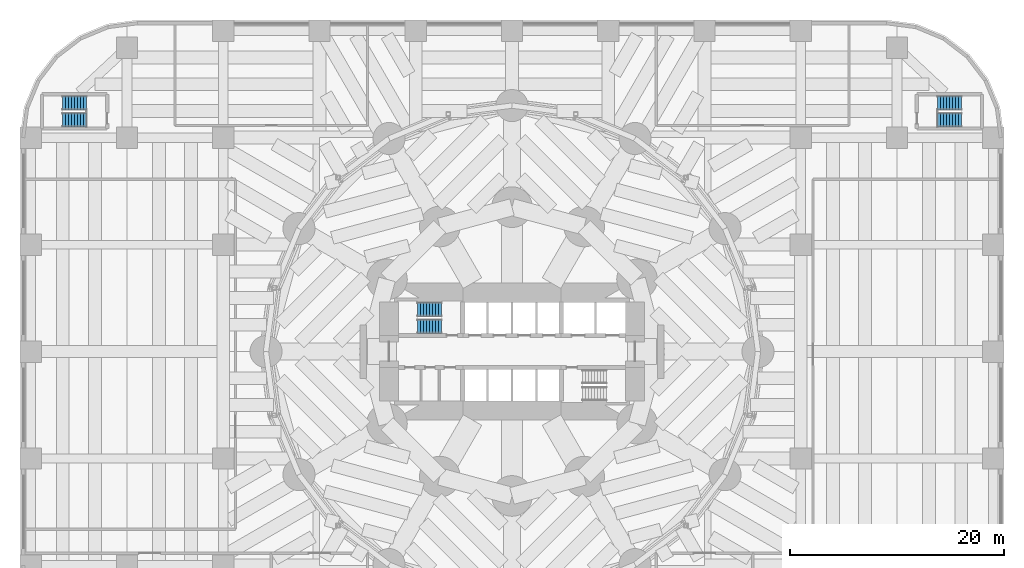
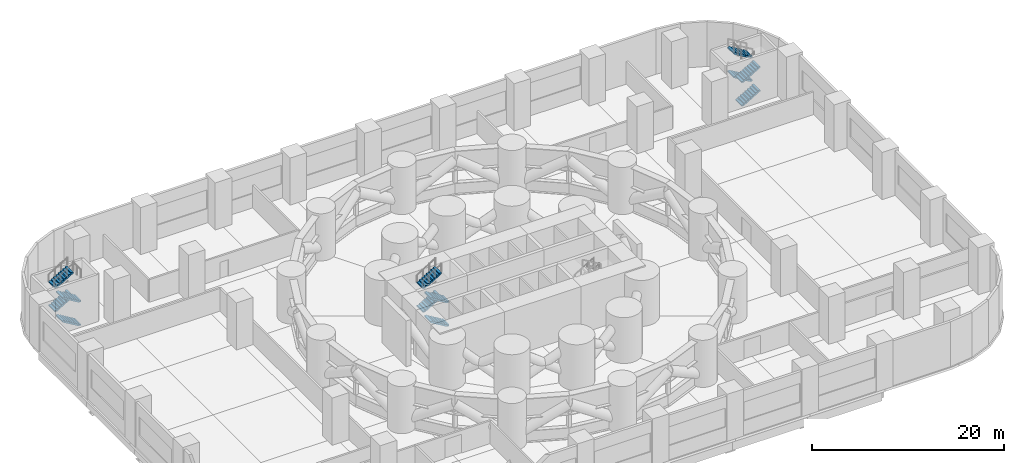
# One storey, part 13 of 14: 12 stair flights, 3 elements without a shape of their own.
"""IFC4 building model written with IfcOpenShell, lengths in metres."""

from ifc_helpers import new_model, si_unit, direction, frame, origin, place, context, subcontext, project, spatial, polyline, outline, extrude, material, type_object, element, aggregate, save


model = new_model("IFC4")

# Units and contexts
model_context = context("Model", 3, precision=1e-05, world=origin(), true_north=direction((0.0, 1.0)))
body_context = subcontext(model_context, "Body", "Model", "MODEL_VIEW")
ifc_project = project(units=[si_unit("LENGTHUNIT", "METRE"), si_unit("AREAUNIT", "SQUARE_METRE"), si_unit("VOLUMEUNIT", "CUBIC_METRE"), si_unit("PLANEANGLEUNIT", "RADIAN"), si_unit("MASSUNIT", "GRAM", prefix="KILO")], contexts=[model_context])

# Site, building, storey
site_placement = place(None, origin())
site = spatial("IfcSite", under=ifc_project, at=site_placement, CompositionType="ELEMENT")
building_placement = place(site_placement, origin())
building = spatial("IfcBuilding", under=site, at=building_placement, Name="Qaws Media Tower", CompositionType="ELEMENT")
storey_placement = place(building_placement, frame((0.0, 0.0, 20.0)))
storey = spatial("IfcBuildingStorey", under=building, at=storey_placement, Name="L03", CompositionType="ELEMENT", Elevation=20.0)

# Stair, stair flights
ifc_material_1 = material(Name="Concrete C40/50", Category="concrete")
stair_type = type_object("IfcStairType", Name="Exit stair", PredefinedType="HALF_TURN_STAIR", material=ifc_material_1)
stair_1_placement = place(storey_placement, origin())
stair_1 = element("IfcStair", 1, at=stair_1_placement, inside=storey, type_object=stair_type, Name="S1 exit stair L03", PredefinedType="HALF_TURN_STAIR")
ifc_material_2 = material(Name="Concrete C40/50", Category="concrete")
stair_flight_type = type_object("IfcStairFlightType", Name="Stair flight 1310", PredefinedType="STRAIGHT", material=ifc_material_2)
stair_flight_1_placement = place(storey_placement, frame((53.419921875, 52.35498046875, 0.0), z_axis=(0.0, 0.0, 1.0), x_axis=(-1.0, 0.0, 0.0)))
stair_flight_1 = element("IfcStairFlight", 2, at=stair_flight_1_placement, type_object=stair_flight_type, Name="S1 flight 1", NumberOfRisers=9, NumberOfTreads=8, PredefinedType="STRAIGHT", RiserHeight=0.166666667, TreadLength=0.28, context=body_context, shape_type="SweptSolid", body=[
    extrude(outline(polyline([(0.0, 0.0), (0.0, 0.166748046875), (0.280029296875, 0.166748046875), (0.280029296875, 0.333251953125), (0.56005859375, 0.333251953125), (0.56005859375, 0.5), (0.840087890625, 0.5), (0.840087890625, 0.666748046875), (1.1201171875, 0.666748046875), (1.1201171875, 0.833251953125), (1.39990234375, 0.833251953125), (1.39990234375, 1.0), (1.679931640625, 1.0), (1.679931640625, 1.166748046875), (1.9599609375, 1.166748046875), (1.9599609375, 1.333251953125), (2.239990234375, 1.333251953125), (2.239990234375, 1.5), (2.239990234375, 1.158935546875), (0.29296875, 0.0), (0.0, 0.0)])), frame((0.0, 0.655029296875, 0.0), z_axis=(0.0, -1.0, 0.0), x_axis=(1.0, 0.0, 0.0)), (0.0, 0.0, 1.0), 1.31005859375),
])
stair_flight_2_placement = place(storey_placement, frame((51.179931640625, 53.945068359375, 1.5), z_axis=(0.0, 0.0, 1.0), x_axis=(1.0, 0.0, 0.0)))
stair_flight_2 = element("IfcStairFlight", 3, at=stair_flight_2_placement, type_object=stair_flight_type, Name="S1 flight 2", NumberOfRisers=9, NumberOfTreads=8, PredefinedType="STRAIGHT", RiserHeight=0.166666667, TreadLength=0.28, context=body_context, shape_type="SweptSolid", body=[
    extrude(outline(polyline([(0.0, 0.0), (0.0, 0.166748046875), (0.280029296875, 0.166748046875), (0.280029296875, 0.333251953125), (0.56005859375, 0.333251953125), (0.56005859375, 0.5), (0.840087890625, 0.5), (0.840087890625, 0.666748046875), (1.1201171875, 0.666748046875), (1.1201171875, 0.833251953125), (1.39990234375, 0.833251953125), (1.39990234375, 1.0), (1.679931640625, 1.0), (1.679931640625, 1.166748046875), (1.9599609375, 1.166748046875), (1.9599609375, 1.333251953125), (2.239990234375, 1.333251953125), (2.239990234375, 1.5), (2.239990234375, 1.158935546875), (0.29296875, 0.0), (0.0, 0.0)])), frame((0.0, 0.655029296875, 0.0), z_axis=(0.0, -1.0, 0.0), x_axis=(1.0, 0.0, 0.0)), (0.0, 0.0, 1.0), 1.31005859375),
])
stair_flight_3_placement = place(storey_placement, frame((53.419921875, 52.35498046875, 3.0), z_axis=(0.0, 0.0, 1.0), x_axis=(-1.0, 0.0, 0.0)))
stair_flight_3 = element("IfcStairFlight", 4, at=stair_flight_3_placement, type_object=stair_flight_type, Name="S1 flight 3", NumberOfRisers=9, NumberOfTreads=8, PredefinedType="STRAIGHT", RiserHeight=0.166666667, TreadLength=0.28, context=body_context, shape_type="SweptSolid", body=[
    extrude(outline(polyline([(0.0, 0.0), (0.0, 0.166748046875), (0.280029296875, 0.166748046875), (0.280029296875, 0.333251953125), (0.56005859375, 0.333251953125), (0.56005859375, 0.5), (0.840087890625, 0.5), (0.840087890625, 0.666748046875), (1.1201171875, 0.666748046875), (1.1201171875, 0.833251953125), (1.39990234375, 0.833251953125), (1.39990234375, 1.0), (1.679931640625, 1.0), (1.679931640625, 1.166748046875), (1.9599609375, 1.166748046875), (1.9599609375, 1.333251953125), (2.239990234375, 1.333251953125), (2.239990234375, 1.5), (2.239990234375, 1.158935546875), (0.29296875, 0.0), (0.0, 0.0)])), frame((0.0, 0.655029296875, 0.0), z_axis=(0.0, -1.0, 0.0), x_axis=(1.0, 0.0, 0.0)), (0.0, 0.0, 1.0), 1.31005859375),
])
stair_flight_4_placement = place(storey_placement, frame((51.179931640625, 53.945068359375, 4.5), z_axis=(0.0, 0.0, 1.0), x_axis=(1.0, 0.0, 0.0)))
stair_flight_4 = element("IfcStairFlight", 5, at=stair_flight_4_placement, type_object=stair_flight_type, Name="S1 flight 4", NumberOfRisers=9, NumberOfTreads=8, PredefinedType="STRAIGHT", RiserHeight=0.166666667, TreadLength=0.28, context=body_context, shape_type="SweptSolid", body=[
    extrude(outline(polyline([(0.0, 0.0), (0.0, 0.166748046875), (0.280029296875, 0.166748046875), (0.280029296875, 0.333251953125), (0.56005859375, 0.333251953125), (0.56005859375, 0.5), (0.840087890625, 0.5), (0.840087890625, 0.666748046875), (1.1201171875, 0.666748046875), (1.1201171875, 0.833251953125), (1.39990234375, 0.833251953125), (1.39990234375, 1.0), (1.679931640625, 1.0), (1.679931640625, 1.166748046875), (1.9599609375, 1.166748046875), (1.9599609375, 1.333251953125), (2.239990234375, 1.333251953125), (2.239990234375, 1.5), (2.239990234375, 1.158935546875), (0.29296875, 0.0), (0.0, 0.0)])), frame((0.0, 0.655029296875, 0.0), z_axis=(0.0, -1.0, 0.0), x_axis=(1.0, 0.0, 0.0)), (0.0, 0.0, 1.0), 1.31005859375),
])
aggregate(stair_1, [stair_flight_1, stair_flight_2, stair_flight_3, stair_flight_4])

stair_2_placement = place(storey_placement, origin())
stair_2 = element("IfcStair", 6, at=stair_2_placement, inside=storey, type_object=stair_type, Name="S3 exit stair L03", PredefinedType="HALF_TURN_STAIR")
stair_flight_5_placement = place(storey_placement, frame((20.219970703125, 71.655029296875, 0.0), z_axis=(0.0, 0.0, 1.0), x_axis=(-1.0, 0.0, 0.0)))
stair_flight_5 = element("IfcStairFlight", 7, at=stair_flight_5_placement, type_object=stair_flight_type, Name="S3 flight 1", NumberOfRisers=9, NumberOfTreads=8, PredefinedType="STRAIGHT", RiserHeight=0.166666667, TreadLength=0.28, context=body_context, shape_type="SweptSolid", body=[
    extrude(outline(polyline([(0.0, 0.0), (0.0, 0.166748046875), (0.280029296875, 0.166748046875), (0.280029296875, 0.333251953125), (0.56005859375, 0.333251953125), (0.56005859375, 0.5), (0.840087890625, 0.5), (0.840087890625, 0.666748046875), (1.1201171875, 0.666748046875), (1.1201171875, 0.833251953125), (1.39990234375, 0.833251953125), (1.39990234375, 1.0), (1.679931640625, 1.0), (1.679931640625, 1.166748046875), (1.9599609375, 1.166748046875), (1.9599609375, 1.333251953125), (2.239990234375, 1.333251953125), (2.239990234375, 1.5), (2.239990234375, 1.158935546875), (0.29296875, 0.0), (0.0, 0.0)])), frame((0.0, 0.655029296875, 0.0), z_axis=(0.0, -1.0, 0.0), x_axis=(1.0, 0.0, 0.0)), (0.0, 0.0, 1.0), 1.31005859375),
])
stair_flight_6_placement = place(storey_placement, frame((17.97998046875, 73.2451171875, 1.5), z_axis=(0.0, 0.0, 1.0), x_axis=(1.0, 0.0, 0.0)))
stair_flight_6 = element("IfcStairFlight", 8, at=stair_flight_6_placement, type_object=stair_flight_type, Name="S3 flight 2", NumberOfRisers=9, NumberOfTreads=8, PredefinedType="STRAIGHT", RiserHeight=0.166666667, TreadLength=0.28, context=body_context, shape_type="SweptSolid", body=[
    extrude(outline(polyline([(0.0, 0.0), (0.0, 0.166748046875), (0.280029296875, 0.166748046875), (0.280029296875, 0.333251953125), (0.56005859375, 0.333251953125), (0.56005859375, 0.5), (0.840087890625, 0.5), (0.840087890625, 0.666748046875), (1.1201171875, 0.666748046875), (1.1201171875, 0.833251953125), (1.39990234375, 0.833251953125), (1.39990234375, 1.0), (1.679931640625, 1.0), (1.679931640625, 1.166748046875), (1.9599609375, 1.166748046875), (1.9599609375, 1.333251953125), (2.239990234375, 1.333251953125), (2.239990234375, 1.5), (2.239990234375, 1.158935546875), (0.29296875, 0.0), (0.0, 0.0)])), frame((0.0, 0.655029296875, 0.0), z_axis=(0.0, -1.0, 0.0), x_axis=(1.0, 0.0, 0.0)), (0.0, 0.0, 1.0), 1.31005859375),
])
stair_flight_7_placement = place(storey_placement, frame((20.219970703125, 71.655029296875, 3.0), z_axis=(0.0, 0.0, 1.0), x_axis=(-1.0, 0.0, 0.0)))
stair_flight_7 = element("IfcStairFlight", 9, at=stair_flight_7_placement, type_object=stair_flight_type, Name="S3 flight 3", NumberOfRisers=9, NumberOfTreads=8, PredefinedType="STRAIGHT", RiserHeight=0.166666667, TreadLength=0.28, context=body_context, shape_type="SweptSolid", body=[
    extrude(outline(polyline([(0.0, 0.0), (0.0, 0.166748046875), (0.280029296875, 0.166748046875), (0.280029296875, 0.333251953125), (0.56005859375, 0.333251953125), (0.56005859375, 0.5), (0.840087890625, 0.5), (0.840087890625, 0.666748046875), (1.1201171875, 0.666748046875), (1.1201171875, 0.833251953125), (1.39990234375, 0.833251953125), (1.39990234375, 1.0), (1.679931640625, 1.0), (1.679931640625, 1.166748046875), (1.9599609375, 1.166748046875), (1.9599609375, 1.333251953125), (2.239990234375, 1.333251953125), (2.239990234375, 1.5), (2.239990234375, 1.158935546875), (0.29296875, 0.0), (0.0, 0.0)])), frame((0.0, 0.655029296875, 0.0), z_axis=(0.0, -1.0, 0.0), x_axis=(1.0, 0.0, 0.0)), (0.0, 0.0, 1.0), 1.31005859375),
])
stair_flight_8_placement = place(storey_placement, frame((17.97998046875, 73.2451171875, 4.5), z_axis=(0.0, 0.0, 1.0), x_axis=(1.0, 0.0, 0.0)))
stair_flight_8 = element("IfcStairFlight", 10, at=stair_flight_8_placement, type_object=stair_flight_type, Name="S3 flight 4", NumberOfRisers=9, NumberOfTreads=8, PredefinedType="STRAIGHT", RiserHeight=0.166666667, TreadLength=0.28, context=body_context, shape_type="SweptSolid", body=[
    extrude(outline(polyline([(0.0, 0.0), (0.0, 0.166748046875), (0.280029296875, 0.166748046875), (0.280029296875, 0.333251953125), (0.56005859375, 0.333251953125), (0.56005859375, 0.5), (0.840087890625, 0.5), (0.840087890625, 0.666748046875), (1.1201171875, 0.666748046875), (1.1201171875, 0.833251953125), (1.39990234375, 0.833251953125), (1.39990234375, 1.0), (1.679931640625, 1.0), (1.679931640625, 1.166748046875), (1.9599609375, 1.166748046875), (1.9599609375, 1.333251953125), (2.239990234375, 1.333251953125), (2.239990234375, 1.5), (2.239990234375, 1.158935546875), (0.29296875, 0.0), (0.0, 0.0)])), frame((0.0, 0.655029296875, 0.0), z_axis=(0.0, -1.0, 0.0), x_axis=(1.0, 0.0, 0.0)), (0.0, 0.0, 1.0), 1.31005859375),
])
aggregate(stair_2, [stair_flight_5, stair_flight_6, stair_flight_7, stair_flight_8])

stair_3_placement = place(storey_placement, origin())
stair_3 = element("IfcStair", 11, at=stair_3_placement, inside=storey, type_object=stair_type, Name="S4 exit stair L03", PredefinedType="HALF_TURN_STAIR")
stair_flight_9_placement = place(storey_placement, frame((99.780029296875, 71.655029296875, 0.0), z_axis=(0.0, 0.0, 1.0), x_axis=(1.0, 0.0, 0.0)))
stair_flight_9 = element("IfcStairFlight", 12, at=stair_flight_9_placement, type_object=stair_flight_type, Name="S4 flight 1", NumberOfRisers=9, NumberOfTreads=8, PredefinedType="STRAIGHT", RiserHeight=0.166666667, TreadLength=0.28, context=body_context, shape_type="SweptSolid", body=[
    extrude(outline(polyline([(0.0, 0.0), (0.0, 0.166748046875), (0.280029296875, 0.166748046875), (0.280029296875, 0.333251953125), (0.56005859375, 0.333251953125), (0.56005859375, 0.5), (0.840087890625, 0.5), (0.840087890625, 0.666748046875), (1.1201171875, 0.666748046875), (1.1201171875, 0.833251953125), (1.39990234375, 0.833251953125), (1.39990234375, 1.0), (1.679931640625, 1.0), (1.679931640625, 1.166748046875), (1.9599609375, 1.166748046875), (1.9599609375, 1.333251953125), (2.239990234375, 1.333251953125), (2.239990234375, 1.5), (2.239990234375, 1.158935546875), (0.29296875, 0.0), (0.0, 0.0)])), frame((0.0, 0.655029296875, 0.0), z_axis=(0.0, -1.0, 0.0), x_axis=(1.0, 0.0, 0.0)), (0.0, 0.0, 1.0), 1.31005859375),
])
stair_flight_10_placement = place(storey_placement, frame((102.02001953125, 73.2451171875, 1.5), z_axis=(0.0, 0.0, 1.0), x_axis=(-1.0, 0.0, 0.0)))
stair_flight_10 = element("IfcStairFlight", 13, at=stair_flight_10_placement, type_object=stair_flight_type, Name="S4 flight 2", NumberOfRisers=9, NumberOfTreads=8, PredefinedType="STRAIGHT", RiserHeight=0.166666667, TreadLength=0.28, context=body_context, shape_type="SweptSolid", body=[
    extrude(outline(polyline([(0.0, 0.0), (0.0, 0.166748046875), (0.280029296875, 0.166748046875), (0.280029296875, 0.333251953125), (0.56005859375, 0.333251953125), (0.56005859375, 0.5), (0.840087890625, 0.5), (0.840087890625, 0.666748046875), (1.1201171875, 0.666748046875), (1.1201171875, 0.833251953125), (1.39990234375, 0.833251953125), (1.39990234375, 1.0), (1.679931640625, 1.0), (1.679931640625, 1.166748046875), (1.9599609375, 1.166748046875), (1.9599609375, 1.333251953125), (2.239990234375, 1.333251953125), (2.239990234375, 1.5), (2.239990234375, 1.158935546875), (0.29296875, 0.0), (0.0, 0.0)])), frame((0.0, 0.655029296875, 0.0), z_axis=(0.0, -1.0, 0.0), x_axis=(1.0, 0.0, 0.0)), (0.0, 0.0, 1.0), 1.31005859375),
])
stair_flight_11_placement = place(storey_placement, frame((99.780029296875, 71.655029296875, 3.0), z_axis=(0.0, 0.0, 1.0), x_axis=(1.0, 0.0, 0.0)))
stair_flight_11 = element("IfcStairFlight", 14, at=stair_flight_11_placement, type_object=stair_flight_type, Name="S4 flight 3", NumberOfRisers=9, NumberOfTreads=8, PredefinedType="STRAIGHT", RiserHeight=0.166666667, TreadLength=0.28, context=body_context, shape_type="SweptSolid", body=[
    extrude(outline(polyline([(0.0, 0.0), (0.0, 0.166748046875), (0.280029296875, 0.166748046875), (0.280029296875, 0.333251953125), (0.56005859375, 0.333251953125), (0.56005859375, 0.5), (0.840087890625, 0.5), (0.840087890625, 0.666748046875), (1.1201171875, 0.666748046875), (1.1201171875, 0.833251953125), (1.39990234375, 0.833251953125), (1.39990234375, 1.0), (1.679931640625, 1.0), (1.679931640625, 1.166748046875), (1.9599609375, 1.166748046875), (1.9599609375, 1.333251953125), (2.239990234375, 1.333251953125), (2.239990234375, 1.5), (2.239990234375, 1.158935546875), (0.29296875, 0.0), (0.0, 0.0)])), frame((0.0, 0.655029296875, 0.0), z_axis=(0.0, -1.0, 0.0), x_axis=(1.0, 0.0, 0.0)), (0.0, 0.0, 1.0), 1.31005859375),
])
stair_flight_12_placement = place(storey_placement, frame((102.02001953125, 73.2451171875, 4.5), z_axis=(0.0, 0.0, 1.0), x_axis=(-1.0, 0.0, 0.0)))
stair_flight_12 = element("IfcStairFlight", 15, at=stair_flight_12_placement, type_object=stair_flight_type, Name="S4 flight 4", NumberOfRisers=9, NumberOfTreads=8, PredefinedType="STRAIGHT", RiserHeight=0.166666667, TreadLength=0.28, context=body_context, shape_type="SweptSolid", body=[
    extrude(outline(polyline([(0.0, 0.0), (0.0, 0.166748046875), (0.280029296875, 0.166748046875), (0.280029296875, 0.333251953125), (0.56005859375, 0.333251953125), (0.56005859375, 0.5), (0.840087890625, 0.5), (0.840087890625, 0.666748046875), (1.1201171875, 0.666748046875), (1.1201171875, 0.833251953125), (1.39990234375, 0.833251953125), (1.39990234375, 1.0), (1.679931640625, 1.0), (1.679931640625, 1.166748046875), (1.9599609375, 1.166748046875), (1.9599609375, 1.333251953125), (2.239990234375, 1.333251953125), (2.239990234375, 1.5), (2.239990234375, 1.158935546875), (0.29296875, 0.0), (0.0, 0.0)])), frame((0.0, 0.655029296875, 0.0), z_axis=(0.0, -1.0, 0.0), x_axis=(1.0, 0.0, 0.0)), (0.0, 0.0, 1.0), 1.31005859375),
])
aggregate(stair_3, [stair_flight_9, stair_flight_10, stair_flight_11, stair_flight_12])

save(model, "model.ifc")
